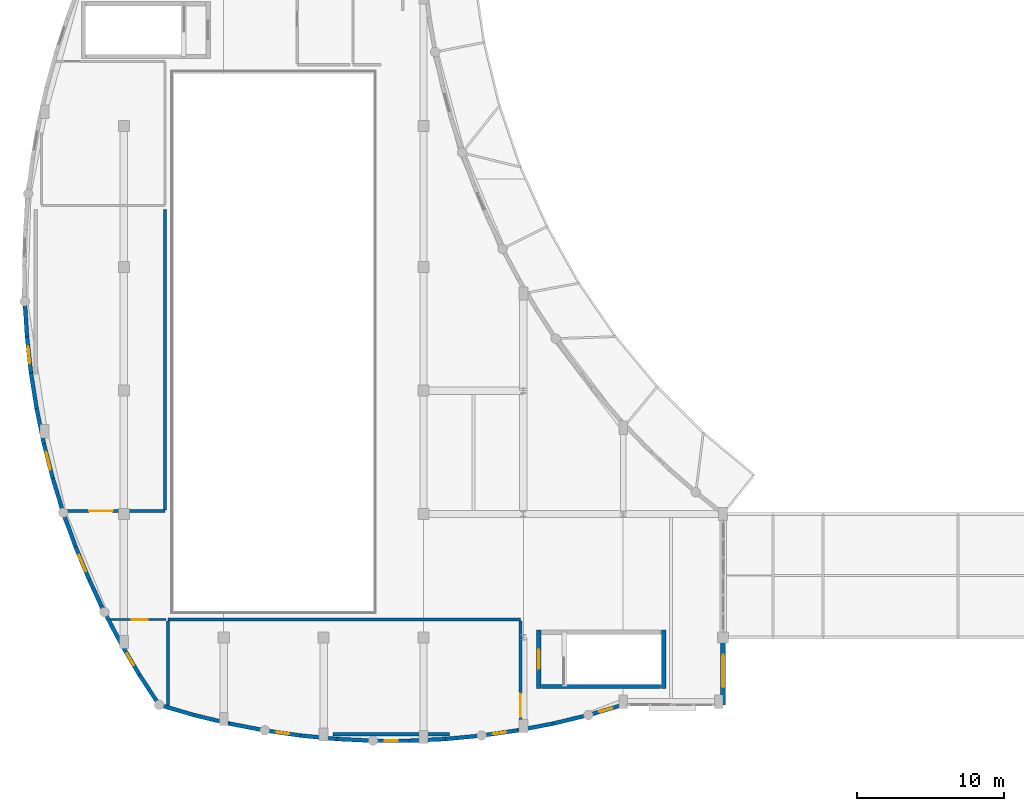
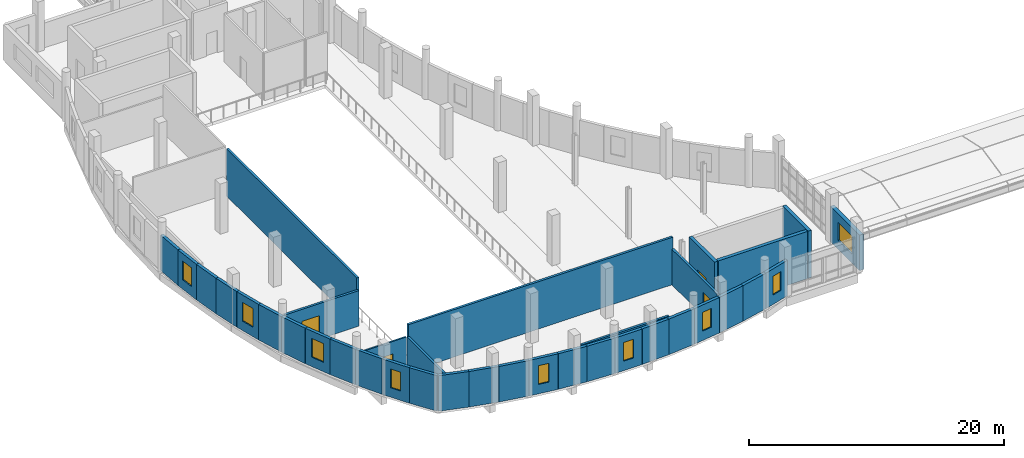
# One storey, part 81 of 106: 36 walls, 9 windows, 4 doors, 13 openings.
"""IFC4 building model written with IfcOpenShell, lengths in metres."""

from ifc_helpers import new_model, si_unit, direction, frame, frame_2d, origin, place, context, subcontext, project, spatial, rectangle, extrude, material, layer, layer_set, type_object, element, fill, save


model = new_model("IFC4")

# Units and contexts
model_context = context("Model", 3, precision=1e-05, world=origin(), true_north=direction((0.0, 1.0)))
body_context = subcontext(model_context, "Body", "Model", "MODEL_VIEW")
ifc_project = project(units=[si_unit("LENGTHUNIT", "METRE"), si_unit("AREAUNIT", "SQUARE_METRE"), si_unit("VOLUMEUNIT", "CUBIC_METRE"), si_unit("PLANEANGLEUNIT", "RADIAN"), si_unit("MASSUNIT", "GRAM", prefix="KILO")], contexts=[model_context])

# Site, building, storey
site_placement = place(None, origin())
site = spatial("IfcSite", under=ifc_project, at=site_placement, CompositionType="ELEMENT")
building_placement = place(site_placement, origin())
building = spatial("IfcBuilding", under=site, at=building_placement, Name="Kisaragi Civic Commons", CompositionType="ELEMENT")
storey_placement = place(building_placement, frame((0.0, 0.0, 4.800048828125)))
storey = spatial("IfcBuildingStorey", under=building, at=storey_placement, Name="L01", CompositionType="ELEMENT", Elevation=4.800048828125)

# Wall, opening, window
ifc_material_1 = material(Name="Insulated Tokoname terracotta cavity wall", Category="masonry")
ifc_layer_1 = layer(ifc_material_1, 0.35009765625, Name="Insulated Tokoname terracotta cavity wall", Category="masonry")
ifc_layer_set_1 = layer_set([ifc_layer_1], Name="Insulated Tokoname terracotta cavity wall")
wall_type_1 = type_object("IfcWallType", Name="EW-02", PredefinedType="STANDARD", material=ifc_layer_set_1)
wall_1_placement = place(storey_placement, frame((47.60009765625, 8.39990234375, 0.0), z_axis=(0.0, 0.0, 1.0), x_axis=(0.0, -1.0, 0.0)))
wall_1 = element("IfcWall", 1, at=wall_1_placement, inside=storey, type_object=wall_type_1, Name="V1 L01 exterior terracotta wall EW-02 87", PredefinedType="STANDARD", context=body_context, shape_type="SweptSolid", body=[
    extrude(rectangle(XDim=4.599853515625, YDim=0.35009765625, at=frame_2d((2.2998046875, 0.0))), origin(), (0.0, 0.0, 1.0), 3.405029296875),
])
opening_1_placement = place(wall_1_placement, frame((1.199951171875, 0.0, 0.85009765625)))
opening_1 = element("IfcOpeningElement", 2, at=opening_1_placement, cuts=wall_1, Name="Opening W-16", PredefinedType="OPENING", context=body_context, shape_type="SweptSolid", body=[
    extrude(rectangle(XDim=2.199951171875, YDim=1.75, at=frame_2d((1.10009765625, 0.875))), frame((0.0, 0.18505859375, 0.0), z_axis=(0.0, -1.0, 0.0), x_axis=(1.0, 0.0, 0.0)), (0.0, 0.0, 1.0), 0.3701171875),
])
ifc_material_2 = material(Name="Thermally broken aluminium frame and low-E argon double glazing", Category="aluminium")
window_type_1 = type_object("IfcWindowType", Name="W-16", PartitioningType="SINGLE_PANEL", PredefinedType="WINDOW", material=ifc_material_2)
window_1_placement = place(opening_1_placement, origin())
window_1 = element("IfcWindow", 3, at=window_1_placement, inside=storey, type_object=window_type_1, Name="V1 L01 window W-16 24", OverallHeight=1.75, OverallWidth=2.199951171875, PartitioningType="SINGLE_PANEL", PredefinedType="WINDOW", context=body_context, shape_type="SweptSolid", body=[
    extrude(rectangle(XDim=2.199951171875, YDim=1.75, at=frame_2d((1.10009765625, 0.875))), frame((0.0, 0.030029296875, 0.0), z_axis=(0.0, -1.0, 0.0), x_axis=(1.0, 0.0, 0.0)), (0.0, 0.0, 1.0), 0.06005859375),
])
fill(opening_1, window_1)

ifc_layer_2 = layer(ifc_material_1, 0.26806640625, Name="Insulated Tokoname terracotta cavity wall", Category="masonry")
ifc_layer_set_2 = layer_set([ifc_layer_2], Name="Insulated Tokoname terracotta cavity wall")
wall_type_2 = type_object("IfcWallType", Name="EW-04", PredefinedType="STANDARD", material=ifc_layer_set_2)
wall_2_placement = place(storey_placement, frame((40.800048828125, 3.800048828125, 0.0), z_axis=(0.0, 0.0, 1.0), x_axis=(-0.959667177702, -0.281138592232, 0.0)))
wall_2 = element("IfcWall", 4, at=wall_2_placement, inside=storey, type_object=wall_type_2, Name="V1 L01 exterior terracotta wall EW-04 88", PredefinedType="STANDARD", context=body_context, shape_type="SweptSolid", body=[
    extrude(rectangle(XDim=2.4697265625, YDim=0.26806640625, at=frame_2d((1.23486328125, 0.0))), origin(), (0.0, 0.0, 1.0), 3.405029296875),
])
opening_2_placement = place(wall_2_placement, frame((0.784912109375, 0.0, 0.89990234375)))
opening_2 = element("IfcOpeningElement", 5, at=opening_2_placement, cuts=wall_2, Name="Opening W-06", PredefinedType="OPENING", context=body_context, shape_type="SweptSolid", body=[
    extrude(rectangle(XDim=0.89990234375, YDim=1.800048828125, at=frame_2d((0.449951171875, 0.89990234375))), frame((0.0, 0.14404296875, 0.0), z_axis=(0.0, -1.0, 0.0), x_axis=(1.0, 0.0, 0.0)), (0.0, 0.0, 1.0), 0.2880859375),
])
window_type_2 = type_object("IfcWindowType", Name="W-06", PartitioningType="SINGLE_PANEL", PredefinedType="WINDOW", material=ifc_material_2)
window_2_placement = place(opening_2_placement, origin())
window_2 = element("IfcWindow", 6, at=window_2_placement, inside=storey, type_object=window_type_2, Name="V1 L01 window W-06 25", OverallHeight=1.800048828125, OverallWidth=0.89990234375, PartitioningType="SINGLE_PANEL", PredefinedType="WINDOW", context=body_context, shape_type="SweptSolid", body=[
    extrude(rectangle(XDim=0.89990234375, YDim=1.800048828125, at=frame_2d((0.449951171875, 0.89990234375))), frame((0.0, 0.030029296875, 0.0), z_axis=(0.0, -1.0, 0.0), x_axis=(1.0, 0.0, 0.0)), (0.0, 0.0, 1.0), 0.06005859375),
])
fill(opening_2, window_2)

# Walls
wall_3_placement = place(storey_placement, frame((38.429931640625, 3.105712890625, 0.0), z_axis=(0.0, 0.0, 1.0), x_axis=(-0.971924140736, -0.235294421214, 0.0)))
element("IfcWall", 7, at=wall_3_placement, inside=storey, type_object=wall_type_2, Name="V1 L01 exterior terracotta wall EW-04 89", PredefinedType="STANDARD", context=body_context, shape_type="SweptSolid", body=[
    extrude(rectangle(XDim=2.469482421875, YDim=0.26806640625, at=frame_2d((1.23486328125, 0.0))), origin(), (0.0, 0.0, 1.0), 3.405029296875),
])
wall_4_placement = place(storey_placement, frame((36.02978515625, 2.524658203125, 0.0), z_axis=(0.0, 0.0, 1.0), x_axis=(-0.982013497208, -0.188810728777, 0.0)))
element("IfcWall", 8, at=wall_4_placement, inside=storey, type_object=wall_type_2, Name="V1 L01 exterior terracotta wall EW-04 90", PredefinedType="STANDARD", context=body_context, shape_type="SweptSolid", body=[
    extrude(rectangle(XDim=2.4697265625, YDim=0.26806640625, at=frame_2d((1.23486328125, 0.0))), origin(), (0.0, 0.0, 1.0), 3.405029296875),
])

# Wall, opening, window
wall_5_placement = place(storey_placement, frame((33.6044921875, 2.058349609375, 0.0), z_axis=(0.0, 0.0, 1.0), x_axis=(-0.989872236715, -0.141961103757, 0.0)))
wall_5 = element("IfcWall", 9, at=wall_5_placement, inside=storey, type_object=wall_type_2, Name="V1 L01 exterior terracotta wall EW-04 91", PredefinedType="STANDARD", context=body_context, shape_type="SweptSolid", body=[
    extrude(rectangle(XDim=2.469482421875, YDim=0.26806640625, at=frame_2d((1.23486328125, 0.0))), origin(), (0.0, 0.0, 1.0), 3.405029296875),
])
opening_3_placement = place(wall_5_placement, frame((0.784912109375, 0.0, 0.89990234375)))
opening_3 = element("IfcOpeningElement", 10, at=opening_3_placement, cuts=wall_5, Name="Opening W-06", PredefinedType="OPENING", context=body_context, shape_type="SweptSolid", body=[
    extrude(rectangle(XDim=0.89990234375, YDim=1.800048828125, at=frame_2d((0.449951171875, 0.89990234375))), frame((0.0, 0.14404296875, 0.0), z_axis=(0.0, -1.0, 0.0), x_axis=(1.0, 0.0, 0.0)), (0.0, 0.0, 1.0), 0.2880859375),
])
window_3_placement = place(opening_3_placement, origin())
window_3 = element("IfcWindow", 11, at=window_3_placement, inside=storey, type_object=window_type_2, Name="V1 L01 window W-06 26", OverallHeight=1.800048828125, OverallWidth=0.89990234375, PartitioningType="SINGLE_PANEL", PredefinedType="WINDOW", context=body_context, shape_type="SweptSolid", body=[
    extrude(rectangle(XDim=0.89990234375, YDim=1.800048828125, at=frame_2d((0.449951171875, 0.89990234375))), frame((0.0, 0.030029296875, 0.0), z_axis=(0.0, -1.0, 0.0), x_axis=(1.0, 0.0, 0.0)), (0.0, 0.0, 1.0), 0.06005859375),
])
fill(opening_3, window_3)

# Walls
for number, where, z_axis, x_axis, name in (
    (12, (31.159912109375, 1.707763671875, 0.0), (0.0, 0.0, 1.0), (-0.995485691749, -0.094911735433, 0.0), "V1 L01 exterior terracotta wall EW-04 92"),
    (13, (28.70166015625, 1.473388671875, 0.0), (0.0, 0.0, 1.0), (-0.998873499285, -0.047452422769, 0.0), "V1 L01 exterior terracotta wall EW-04 93"),
):
    element("IfcWall", number, at=place(storey_placement, frame(where, z_axis=z_axis, x_axis=x_axis)), inside=storey, type_object=wall_type_2, Name=name, PredefinedType="STANDARD", context=body_context, shape_type="SweptSolid", body=[
        extrude(rectangle(XDim=2.469482421875, YDim=0.26806640625, at=frame_2d((1.23486328125, 0.0))), origin(), (0.0, 0.0, 1.0), 3.405029296875),
    ])

# Wall, opening, window
wall_6_placement = place(storey_placement, frame((26.23486328125, 1.356201171875, 0.0), z_axis=(0.0, 0.0, 1.0), x_axis=(-1.0, 0.0, 0.0)))
wall_6 = element("IfcWall", 14, at=wall_6_placement, inside=storey, type_object=wall_type_2, Name="V1 L01 exterior terracotta wall EW-04 94", PredefinedType="STANDARD", context=body_context, shape_type="SweptSolid", body=[
    extrude(rectangle(XDim=2.4697265625, YDim=0.26806640625, at=frame_2d((1.23486328125, 0.0))), origin(), (0.0, 0.0, 1.0), 3.405029296875),
])
opening_4_placement = place(wall_6_placement, frame((0.784912109375, 0.0, 0.89990234375)))
opening_4 = element("IfcOpeningElement", 15, at=opening_4_placement, cuts=wall_6, Name="Opening W-06", PredefinedType="OPENING", context=body_context, shape_type="SweptSolid", body=[
    extrude(rectangle(XDim=0.89990234375, YDim=1.800048828125, at=frame_2d((0.449951171875, 0.89990234375))), frame((0.0, 0.14404296875, 0.0), z_axis=(0.0, -1.0, 0.0), x_axis=(1.0, 0.0, 0.0)), (0.0, 0.0, 1.0), 0.2880859375),
])
window_4_placement = place(opening_4_placement, origin())
window_4 = element("IfcWindow", 16, at=window_4_placement, inside=storey, type_object=window_type_2, Name="V1 L01 window W-06 27", OverallHeight=1.800048828125, OverallWidth=0.89990234375, PartitioningType="SINGLE_PANEL", PredefinedType="WINDOW", context=body_context, shape_type="SweptSolid", body=[
    extrude(rectangle(XDim=0.89990234375, YDim=1.800048828125, at=frame_2d((0.449951171875, 0.89990234375))), frame((0.0, 0.030029296875, 0.0), z_axis=(0.0, -1.0, 0.0), x_axis=(1.0, 0.0, 0.0)), (0.0, 0.0, 1.0), 0.06005859375),
])
fill(opening_4, window_4)

# Walls
for number, where, z_axis, x_axis, name in (
    (17, (23.76513671875, 1.356201171875, 0.0), (0.0, 0.0, 1.0), (-0.998873499285, 0.047452422769, 0.0), "V1 L01 exterior terracotta wall EW-04 95"),
    (18, (21.29833984375, 1.473388671875, 0.0), (0.0, 0.0, 1.0), (-0.995485691749, 0.094911735433, 0.0), "V1 L01 exterior terracotta wall EW-04 96"),
):
    element("IfcWall", number, at=place(storey_placement, frame(where, z_axis=z_axis, x_axis=x_axis)), inside=storey, type_object=wall_type_2, Name=name, PredefinedType="STANDARD", context=body_context, shape_type="SweptSolid", body=[
        extrude(rectangle(XDim=2.469482421875, YDim=0.26806640625, at=frame_2d((1.23486328125, 0.0))), origin(), (0.0, 0.0, 1.0), 3.405029296875),
    ])

# Wall, opening, window
wall_7_placement = place(storey_placement, frame((18.840087890625, 1.707763671875, 0.0), z_axis=(0.0, 0.0, 1.0), x_axis=(-0.989872236715, 0.141961103757, 0.0)))
wall_7 = element("IfcWall", 19, at=wall_7_placement, inside=storey, type_object=wall_type_2, Name="V1 L01 exterior terracotta wall EW-04 97", PredefinedType="STANDARD", context=body_context, shape_type="SweptSolid", body=[
    extrude(rectangle(XDim=2.469482421875, YDim=0.26806640625, at=frame_2d((1.23486328125, 0.0))), origin(), (0.0, 0.0, 1.0), 3.405029296875),
])
opening_5_placement = place(wall_7_placement, frame((0.784912109375, 0.0, 0.89990234375)))
opening_5 = element("IfcOpeningElement", 20, at=opening_5_placement, cuts=wall_7, Name="Opening W-06", PredefinedType="OPENING", context=body_context, shape_type="SweptSolid", body=[
    extrude(rectangle(XDim=0.89990234375, YDim=1.800048828125, at=frame_2d((0.449951171875, 0.89990234375))), frame((0.0, 0.14404296875, 0.0), z_axis=(0.0, -1.0, 0.0), x_axis=(1.0, 0.0, 0.0)), (0.0, 0.0, 1.0), 0.2880859375),
])
window_5_placement = place(opening_5_placement, origin())
window_5 = element("IfcWindow", 21, at=window_5_placement, inside=storey, type_object=window_type_2, Name="V1 L01 window W-06 28", OverallHeight=1.800048828125, OverallWidth=0.89990234375, PartitioningType="SINGLE_PANEL", PredefinedType="WINDOW", context=body_context, shape_type="SweptSolid", body=[
    extrude(rectangle(XDim=0.89990234375, YDim=1.800048828125, at=frame_2d((0.449951171875, 0.89990234375))), frame((0.0, 0.030029296875, 0.0), z_axis=(0.0, -1.0, 0.0), x_axis=(1.0, 0.0, 0.0)), (0.0, 0.0, 1.0), 0.06005859375),
])
fill(opening_5, window_5)

# Walls
wall_8_placement = place(storey_placement, frame((16.3955078125, 2.058349609375, 0.0), z_axis=(0.0, 0.0, 1.0), x_axis=(-0.982013497208, 0.188810728777, 0.0)))
element("IfcWall", 22, at=wall_8_placement, inside=storey, type_object=wall_type_2, Name="V1 L01 exterior terracotta wall EW-04 98", PredefinedType="STANDARD", context=body_context, shape_type="SweptSolid", body=[
    extrude(rectangle(XDim=2.4697265625, YDim=0.26806640625, at=frame_2d((1.23486328125, 0.0))), origin(), (0.0, 0.0, 1.0), 3.405029296875),
])
wall_9_placement = place(storey_placement, frame((13.97021484375, 2.524658203125, 0.0), z_axis=(0.0, 0.0, 1.0), x_axis=(-0.971924140736, 0.235294421214, 0.0)))
element("IfcWall", 23, at=wall_9_placement, inside=storey, type_object=wall_type_2, Name="V1 L01 exterior terracotta wall EW-04 99", PredefinedType="STANDARD", context=body_context, shape_type="SweptSolid", body=[
    extrude(rectangle(XDim=2.469482421875, YDim=0.26806640625, at=frame_2d((1.23486328125, 0.0))), origin(), (0.0, 0.0, 1.0), 3.405029296875),
])
wall_10_placement = place(storey_placement, frame((11.570068359375, 3.105712890625, 0.0), z_axis=(0.0, 0.0, 1.0), x_axis=(-0.959667177702, 0.281138592232, 0.0)))
element("IfcWall", 24, at=wall_10_placement, inside=storey, type_object=wall_type_2, Name="V1 L01 exterior terracotta wall EW-04 100", PredefinedType="STANDARD", context=body_context, shape_type="SweptSolid", body=[
    extrude(rectangle(XDim=2.4697265625, YDim=0.26806640625, at=frame_2d((1.23486328125, 0.0))), origin(), (0.0, 0.0, 1.0), 3.405029296875),
])
wall_11_placement = place(storey_placement, frame((9.199951171875, 3.800048828125, 0.0), z_axis=(0.0, 0.0, 1.0), x_axis=(-0.548093698086, 0.836416940358, 0.0)))
element("IfcWall", 25, at=wall_11_placement, inside=storey, type_object=wall_type_2, Name="V1 L01 exterior terracotta wall EW-04 101", PredefinedType="STANDARD", context=body_context, shape_type="SweptSolid", body=[
    extrude(rectangle(XDim=2.445556640625, YDim=0.26806640625, at=frame_2d((1.22265625, 0.0))), origin(), (0.0, 0.0, 1.0), 3.405029296875),
])

# Wall, opening, window
wall_12_placement = place(storey_placement, frame((7.859619140625, 5.845458984375, 0.0), z_axis=(0.0, 0.0, 1.0), x_axis=(-0.508154045832, 0.861266199095, 0.0)))
wall_12 = element("IfcWall", 26, at=wall_12_placement, inside=storey, type_object=wall_type_2, Name="V1 L01 exterior terracotta wall EW-04 102", PredefinedType="STANDARD", context=body_context, shape_type="SweptSolid", body=[
    extrude(rectangle(XDim=2.445556640625, YDim=0.26806640625, at=frame_2d((1.22265625, 0.0))), origin(), (0.0, 0.0, 1.0), 3.405029296875),
])
opening_6_placement = place(wall_12_placement, frame((0.772705078125, 0.0, 0.89990234375)))
opening_6 = element("IfcOpeningElement", 27, at=opening_6_placement, cuts=wall_12, Name="Opening W-06", PredefinedType="OPENING", context=body_context, shape_type="SweptSolid", body=[
    extrude(rectangle(XDim=0.89990234375, YDim=1.800048828125, at=frame_2d((0.449951171875, 0.89990234375))), frame((0.0, 0.14404296875, 0.0), z_axis=(0.0, -1.0, 0.0), x_axis=(1.0, 0.0, 0.0)), (0.0, 0.0, 1.0), 0.2880859375),
])
window_6_placement = place(opening_6_placement, origin())
window_6 = element("IfcWindow", 28, at=window_6_placement, inside=storey, type_object=window_type_2, Name="V1 L01 window W-06 29", OverallHeight=1.800048828125, OverallWidth=0.89990234375, PartitioningType="SINGLE_PANEL", PredefinedType="WINDOW", context=body_context, shape_type="SweptSolid", body=[
    extrude(rectangle(XDim=0.89990234375, YDim=1.800048828125, at=frame_2d((0.449951171875, 0.89990234375))), frame((0.0, 0.030029296875, 0.0), z_axis=(0.0, -1.0, 0.0), x_axis=(1.0, 0.0, 0.0)), (0.0, 0.0, 1.0), 0.06005859375),
])
fill(opening_6, window_6)

# Walls
wall_13_placement = place(storey_placement, frame((6.616943359375, 7.95166015625, 0.0), z_axis=(0.0, 0.0, 1.0), x_axis=(-0.467149014597, 0.884178600827, 0.0)))
element("IfcWall", 29, at=wall_13_placement, inside=storey, type_object=wall_type_2, Name="V1 L01 exterior terracotta wall EW-04 103", PredefinedType="STANDARD", context=body_context, shape_type="SweptSolid", body=[
    extrude(rectangle(XDim=2.4453125, YDim=0.26806640625, at=frame_2d((1.22265625, 0.0))), origin(), (0.0, 0.0, 1.0), 3.405029296875),
])
wall_14_placement = place(storey_placement, frame((5.474609375, 10.11376953125, 0.0), z_axis=(0.0, 0.0, 1.0), x_axis=(-0.424993953285, 0.905196188498, 0.0)))
element("IfcWall", 30, at=wall_14_placement, inside=storey, type_object=wall_type_2, Name="V1 L01 exterior terracotta wall EW-04 104", PredefinedType="STANDARD", context=body_context, shape_type="SweptSolid", body=[
    extrude(rectangle(XDim=2.445556640625, YDim=0.26806640625, at=frame_2d((1.22265625, 0.0))), origin(), (0.0, 0.0, 1.0), 3.405029296875),
])

# Wall, opening, window
wall_15_placement = place(storey_placement, frame((4.435302734375, 12.327392578125, 0.0), z_axis=(0.0, 0.0, 1.0), x_axis=(-0.3819696495, 0.924174868118, 0.0)))
wall_15 = element("IfcWall", 31, at=wall_15_placement, inside=storey, type_object=wall_type_2, Name="V1 L01 exterior terracotta wall EW-04 105", PredefinedType="STANDARD", context=body_context, shape_type="SweptSolid", body=[
    extrude(rectangle(XDim=2.445556640625, YDim=0.26806640625, at=frame_2d((1.22265625, 0.0))), origin(), (0.0, 0.0, 1.0), 3.405029296875),
])
opening_7_placement = place(wall_15_placement, frame((0.622802734375, 0.0, 0.89990234375)))
opening_7 = element("IfcOpeningElement", 32, at=opening_7_placement, cuts=wall_15, Name="Opening W-05", PredefinedType="OPENING", context=body_context, shape_type="SweptSolid", body=[
    extrude(rectangle(XDim=1.199951171875, YDim=1.800048828125, at=frame_2d((0.60009765625, 0.89990234375))), frame((0.0, 0.14404296875, 0.0), z_axis=(0.0, -1.0, 0.0), x_axis=(1.0, 0.0, 0.0)), (0.0, 0.0, 1.0), 0.2880859375),
])
window_type_3 = type_object("IfcWindowType", Name="W-05", PartitioningType="SINGLE_PANEL", PredefinedType="WINDOW", material=ifc_material_2)
window_7_placement = place(opening_7_placement, origin())
window_7 = element("IfcWindow", 33, at=window_7_placement, inside=storey, type_object=window_type_3, Name="V1 L01 window W-05 30", OverallHeight=1.800048828125, OverallWidth=1.199951171875, PartitioningType="SINGLE_PANEL", PredefinedType="WINDOW", context=body_context, shape_type="SweptSolid", body=[
    extrude(rectangle(XDim=1.199951171875, YDim=1.800048828125, at=frame_2d((0.60009765625, 0.89990234375))), frame((0.0, 0.030029296875, 0.0), z_axis=(0.0, -1.0, 0.0), x_axis=(1.0, 0.0, 0.0)), (0.0, 0.0, 1.0), 0.06005859375),
])
fill(opening_7, window_7)

# Walls
wall_16_placement = place(storey_placement, frame((3.501220703125, 14.58740234375, 0.0), z_axis=(0.0, 0.0, 1.0), x_axis=(-0.338125508997, 0.941101025483, 0.0)))
element("IfcWall", 34, at=wall_16_placement, inside=storey, type_object=wall_type_2, Name="V1 L01 exterior terracotta wall EW-04 106", PredefinedType="STANDARD", context=body_context, shape_type="SweptSolid", body=[
    extrude(rectangle(XDim=2.445556640625, YDim=0.26806640625, at=frame_2d((1.22265625, 0.0))), origin(), (0.0, 0.0, 1.0), 3.405029296875),
])
wall_17_placement = place(storey_placement, frame((2.67431640625, 16.888916015625, 0.0), z_axis=(0.0, 0.0, 1.0), x_axis=(-0.293524545096, 0.955951537174, 0.0)))
element("IfcWall", 35, at=wall_17_placement, inside=storey, type_object=wall_type_2, Name="V1 L01 exterior terracotta wall EW-04 107", PredefinedType="STANDARD", context=body_context, shape_type="SweptSolid", body=[
    extrude(rectangle(XDim=2.4453125, YDim=0.26806640625, at=frame_2d((1.22265625, 0.0))), origin(), (0.0, 0.0, 1.0), 3.405029296875),
])

# Wall, opening, window
wall_18_placement = place(storey_placement, frame((1.95654296875, 19.2265625, 0.0), z_axis=(0.0, 0.0, 1.0), x_axis=(-0.248192795271, 0.968710656685, 0.0)))
wall_18 = element("IfcWall", 36, at=wall_18_placement, inside=storey, type_object=wall_type_2, Name="V1 L01 exterior terracotta wall EW-04 108", PredefinedType="STANDARD", context=body_context, shape_type="SweptSolid", body=[
    extrude(rectangle(XDim=2.4453125, YDim=0.26806640625, at=frame_2d((1.22265625, 0.0))), origin(), (0.0, 0.0, 1.0), 3.405029296875),
])
opening_8_placement = place(wall_18_placement, frame((0.622802734375, 0.0, 0.89990234375)))
opening_8 = element("IfcOpeningElement", 37, at=opening_8_placement, cuts=wall_18, Name="Opening W-05", PredefinedType="OPENING", context=body_context, shape_type="SweptSolid", body=[
    extrude(rectangle(XDim=1.199951171875, YDim=1.800048828125, at=frame_2d((0.60009765625, 0.89990234375))), frame((0.0, 0.14404296875, 0.0), z_axis=(0.0, -1.0, 0.0), x_axis=(1.0, 0.0, 0.0)), (0.0, 0.0, 1.0), 0.2880859375),
])
window_8_placement = place(opening_8_placement, origin())
window_8 = element("IfcWindow", 38, at=window_8_placement, inside=storey, type_object=window_type_3, Name="V1 L01 window W-05 31", OverallHeight=1.800048828125, OverallWidth=1.199951171875, PartitioningType="SINGLE_PANEL", PredefinedType="WINDOW", context=body_context, shape_type="SweptSolid", body=[
    extrude(rectangle(XDim=1.199951171875, YDim=1.800048828125, at=frame_2d((0.60009765625, 0.89990234375))), frame((0.0, 0.030029296875, 0.0), z_axis=(0.0, -1.0, 0.0), x_axis=(1.0, 0.0, 0.0)), (0.0, 0.0, 1.0), 0.06005859375),
])
fill(opening_8, window_8)

# Walls
wall_19_placement = place(storey_placement, frame((1.349609375, 21.595458984375, 0.0), z_axis=(0.0, 0.0, 1.0), x_axis=(-0.202466947534, 0.979289096823, 0.0)))
element("IfcWall", 39, at=wall_19_placement, inside=storey, type_object=wall_type_2, Name="V1 L01 exterior terracotta wall EW-04 109", PredefinedType="STANDARD", context=body_context, shape_type="SweptSolid", body=[
    extrude(rectangle(XDim=2.4453125, YDim=0.26806640625, at=frame_2d((1.22265625, 0.0))), origin(), (0.0, 0.0, 1.0), 3.405029296875),
])
wall_20_placement = place(storey_placement, frame((0.8544921875, 23.990234375, 0.0), z_axis=(0.0, 0.0, 1.0), x_axis=(-0.156136871901, 0.987735428763, 0.0)))
element("IfcWall", 40, at=wall_20_placement, inside=storey, type_object=wall_type_2, Name="V1 L01 exterior terracotta wall EW-04 110", PredefinedType="STANDARD", context=body_context, shape_type="SweptSolid", body=[
    extrude(rectangle(XDim=2.445556640625, YDim=0.26806640625, at=frame_2d((1.22265625, 0.0))), origin(), (0.0, 0.0, 1.0), 3.405029296875),
])

# Wall, opening, window
wall_21_placement = place(storey_placement, frame((0.47265625, 26.40576171875, 0.0), z_axis=(0.0, 0.0, 1.0), x_axis=(-0.109521982528, 0.993984373792, 0.0)))
wall_21 = element("IfcWall", 41, at=wall_21_placement, inside=storey, type_object=wall_type_2, Name="V1 L01 exterior terracotta wall EW-04 111", PredefinedType="STANDARD", context=body_context, shape_type="SweptSolid", body=[
    extrude(rectangle(XDim=2.4453125, YDim=0.26806640625, at=frame_2d((1.22265625, 0.0))), origin(), (0.0, 0.0, 1.0), 3.405029296875),
])
opening_9_placement = place(wall_21_placement, frame((0.622802734375, 0.0, 0.89990234375)))
opening_9 = element("IfcOpeningElement", 42, at=opening_9_placement, cuts=wall_21, Name="Opening W-05", PredefinedType="OPENING", context=body_context, shape_type="SweptSolid", body=[
    extrude(rectangle(XDim=1.199951171875, YDim=1.800048828125, at=frame_2d((0.60009765625, 0.89990234375))), frame((0.0, 0.14404296875, 0.0), z_axis=(0.0, -1.0, 0.0), x_axis=(1.0, 0.0, 0.0)), (0.0, 0.0, 1.0), 0.2880859375),
])
window_9_placement = place(opening_9_placement, origin())
window_9 = element("IfcWindow", 43, at=window_9_placement, inside=storey, type_object=window_type_3, Name="V1 L01 window W-05 32", OverallHeight=1.800048828125, OverallWidth=1.199951171875, PartitioningType="SINGLE_PANEL", PredefinedType="WINDOW", context=body_context, shape_type="SweptSolid", body=[
    extrude(rectangle(XDim=1.199951171875, YDim=1.800048828125, at=frame_2d((0.60009765625, 0.89990234375))), frame((0.0, 0.030029296875, 0.0), z_axis=(0.0, -1.0, 0.0), x_axis=(1.0, 0.0, 0.0)), (0.0, 0.0, 1.0), 0.06005859375),
])
fill(opening_9, window_9)

# Wall
wall_22_placement = place(storey_placement, frame((0.204833984375, 28.83642578125, 0.0), z_axis=(0.0, 0.0, 1.0), x_axis=(-0.062695263199, 0.998032716885, 0.0)))
element("IfcWall", 44, at=wall_22_placement, inside=storey, type_object=wall_type_2, Name="V1 L01 exterior terracotta wall EW-04 112", PredefinedType="STANDARD", context=body_context, shape_type="SweptSolid", body=[
    extrude(rectangle(XDim=2.445556640625, YDim=0.26806640625, at=frame_2d((1.22265625, 0.0))), origin(), (0.0, 0.0, 1.0), 3.405029296875),
])

# Wall, opening, door
ifc_material_3 = material(Name="Acoustic gypsum board on light-gauge steel studs", Category="steel")
ifc_layer_3 = layer(ifc_material_3, 0.137939453125, Name="Acoustic gypsum board on light-gauge steel studs", Category="steel")
ifc_layer_set_3 = layer_set([ifc_layer_3], Name="Acoustic gypsum board on light-gauge steel studs")
wall_type_3 = type_object("IfcWallType", Name="IW-02", PredefinedType="STANDARD", material=ifc_layer_set_3)
wall_23_placement = place(storey_placement, frame((5.88818359375, 9.60009765625, 0.0), z_axis=(0.0, 0.0, 1.0), x_axis=(1.0, 0.0, 0.0)))
wall_23 = element("IfcWall", 45, at=wall_23_placement, inside=storey, type_object=wall_type_3, Name="L01 M1-03 partition IW-02 217", PredefinedType="STANDARD", context=body_context, shape_type="SweptSolid", body=[
    extrude(rectangle(XDim=3.766845703125, YDim=0.137939453125, at=frame_2d((1.88330078125, 0.0))), origin(), (0.0, 0.0, 1.0), 3.405029296875),
])
opening_10_placement = place(wall_23_placement, frame((1.440185546875, 0.0, 0.0)))
opening_10 = element("IfcOpeningElement", 46, at=opening_10_placement, cuts=wall_23, Name="Opening ID-08", PredefinedType="OPENING", context=body_context, shape_type="SweptSolid", body=[
    extrude(rectangle(XDim=1.10009765625, YDim=2.199951171875, at=frame_2d((0.550048828125, 1.10009765625))), frame((0.0, 0.078857421875, 0.0), z_axis=(0.0, -1.0, 0.0), x_axis=(1.0, 0.0, 0.0)), (0.0, 0.0, 1.0), 0.157958984375),
])
ifc_material_4 = material(Name="Solid-core Japanese ash acoustic flush timber leaf in steel frame", Category="steel")
door_type_1 = type_object("IfcDoorType", Name="ID-08", OperationType="NOTDEFINED", PredefinedType="DOOR", material=ifc_material_4)
door_1_placement = place(opening_10_placement, origin())
door_1 = element("IfcDoor", 47, at=door_1_placement, inside=storey, type_object=door_type_1, Name="Projection and Acoustic Control Room door ID-08", OperationType="SINGLE_SWING_LEFT", OverallHeight=2.199951171875, OverallWidth=1.10009765625, PredefinedType="DOOR", context=body_context, shape_type="SweptSolid", body=[
    extrude(rectangle(XDim=1.10009765625, YDim=2.199951171875, at=frame_2d((0.550048828125, 1.10009765625))), frame((0.0, 0.02490234375, 0.0), z_axis=(0.0, -1.0, 0.0), x_axis=(1.0, 0.0, 0.0)), (0.0, 0.0, 1.0), 0.050048828125),
])
fill(opening_10, door_1)

ifc_material_5 = material(Name="Slatted Mikawa hinoki acoustic timber partition", Category="wood")
ifc_layer_4 = layer(ifc_material_5, 0.2080078125, Name="Slatted Mikawa hinoki acoustic timber partition", Category="wood")
ifc_layer_set_4 = layer_set([ifc_layer_4], Name="Slatted Mikawa hinoki acoustic timber partition")
wall_type_4 = type_object("IfcWallType", Name="IW-05", PredefinedType="STANDARD", material=ifc_layer_set_4)
wall_24_placement = place(storey_placement, frame((33.800048828125, 9.52490234375, 0.0), z_axis=(0.0, 0.0, 1.0), x_axis=(0.0, -1.0, 0.0)))
wall_24 = element("IfcWall", 48, at=wall_24_placement, inside=storey, type_object=wall_type_4, Name="L01 M1-09 partition IW-05 182", PredefinedType="STANDARD", context=body_context, shape_type="SweptSolid", body=[
    extrude(rectangle(XDim=7.109619140625, YDim=0.2080078125, at=frame_2d((3.5546875, 0.0))), origin(), (0.0, 0.0, 1.0), 3.405029296875),
])
opening_11_placement = place(wall_24_placement, frame((4.95849609375, 0.0, 0.0)))
opening_11 = element("IfcOpeningElement", 49, at=opening_11_placement, cuts=wall_24, Name="Opening ID-05", PredefinedType="OPENING", context=body_context, shape_type="SweptSolid", body=[
    extrude(rectangle(XDim=1.60009765625, YDim=2.25, at=frame_2d((0.800048828125, 1.125))), frame((0.0, 0.114013671875, 0.0), z_axis=(0.0, -1.0, 0.0), x_axis=(1.0, 0.0, 0.0)), (0.0, 0.0, 1.0), 0.22802734375),
])
door_type_2 = type_object("IfcDoorType", Name="ID-05", OperationType="NOTDEFINED", PredefinedType="DOOR", material=ifc_material_4)
door_2_placement = place(opening_11_placement, origin())
door_2 = element("IfcDoor", 50, at=door_2_placement, inside=storey, type_object=door_type_2, Name="Acoustic Ensemble Practice Room door ID-05", OperationType="DOUBLE_DOOR_SINGLE_SWING", OverallHeight=2.25, OverallWidth=1.60009765625, PredefinedType="DOOR", context=body_context, shape_type="SweptSolid", body=[
    extrude(rectangle(XDim=1.60009765625, YDim=2.25, at=frame_2d((0.800048828125, 1.125))), frame((0.0, 0.02490234375, 0.0), z_axis=(0.0, -1.0, 0.0), x_axis=(1.0, 0.0, 0.0)), (0.0, 0.0, 1.0), 0.050048828125),
])
fill(opening_11, door_2)

# Walls
wall_25_placement = place(storey_placement, frame((28.96142578125, 1.800048828125, 0.0), z_axis=(0.0, 0.0, 1.0), x_axis=(-1.0, 0.0, 0.0)))
element("IfcWall", 51, at=wall_25_placement, inside=storey, type_object=wall_type_4, Name="L01 M1-09 partition IW-05 183", PredefinedType="STANDARD", context=body_context, shape_type="SweptSolid", body=[
    extrude(rectangle(XDim=7.9228515625, YDim=0.2080078125, at=frame_2d((3.96142578125, 0.0))), origin(), (0.0, 0.0, 1.0), 3.405029296875),
])
wall_26_placement = place(storey_placement, frame((9.800048828125, 3.76611328125, 0.0), z_axis=(0.0, 0.0, 1.0), x_axis=(0.0, 1.0, 0.0)))
element("IfcWall", 52, at=wall_26_placement, inside=storey, type_object=wall_type_4, Name="L01 M1-09 partition IW-05 184", PredefinedType="STANDARD", context=body_context, shape_type="SweptSolid", body=[
    extrude(rectangle(XDim=5.7587890625, YDim=0.2080078125, at=frame_2d((2.87939453125, 0.0))), origin(), (0.0, 0.0, 1.0), 3.405029296875),
])
wall_27_placement = place(storey_placement, frame((9.804931640625, 9.60009765625, 0.0), z_axis=(0.0, 0.0, 1.0), x_axis=(1.0, 0.0, 0.0)))
element("IfcWall", 53, at=wall_27_placement, inside=storey, type_object=wall_type_4, Name="L01 M1-09 partition IW-05 185", PredefinedType="STANDARD", context=body_context, shape_type="SweptSolid", body=[
    extrude(rectangle(XDim=23.989990234375, YDim=0.2080078125, at=frame_2d((11.9951171875, 0.0))), origin(), (0.0, 0.0, 1.0), 4.5400390625),
])

# Wall, opening, door
wall_28_placement = place(storey_placement, frame((9.594970703125, 17.0, 0.0), z_axis=(0.0, 0.0, 1.0), x_axis=(-1.0, 0.0, 0.0)))
wall_28 = element("IfcWall", 54, at=wall_28_placement, inside=storey, type_object=wall_type_4, Name="L01 M1-02 partition IW-05 214", PredefinedType="STANDARD", context=body_context, shape_type="SweptSolid", body=[
    extrude(rectangle(XDim=6.69873046875, YDim=0.2080078125, at=frame_2d((3.349365234375, 0.0))), origin(), (0.0, 0.0, 1.0), 3.405029296875),
])
opening_12_placement = place(wall_28_placement, frame((3.569091796875, 0.0, 0.0)))
opening_12 = element("IfcOpeningElement", 55, at=opening_12_placement, cuts=wall_28, Name="Opening ID-05", PredefinedType="OPENING", context=body_context, shape_type="SweptSolid", body=[
    extrude(rectangle(XDim=1.60009765625, YDim=2.25, at=frame_2d((0.800048828125, 1.125))), frame((0.0, 0.114013671875, 0.0), z_axis=(0.0, -1.0, 0.0), x_axis=(1.0, 0.0, 0.0)), (0.0, 0.0, 1.0), 0.22802734375),
])
door_3_placement = place(opening_12_placement, origin())
door_3 = element("IfcDoor", 56, at=door_3_placement, inside=storey, type_object=door_type_2, Name="Choir Rehearsal Studio door ID-05", OperationType="DOUBLE_DOOR_SINGLE_SWING", OverallHeight=2.25, OverallWidth=1.60009765625, PredefinedType="DOOR", context=body_context, shape_type="SweptSolid", body=[
    extrude(rectangle(XDim=1.60009765625, YDim=2.25, at=frame_2d((0.800048828125, 1.125))), frame((0.0, 0.02490234375, 0.0), z_axis=(0.0, -1.0, 0.0), x_axis=(1.0, 0.0, 0.0)), (0.0, 0.0, 1.0), 0.050048828125),
])
fill(opening_12, door_3)

# Wall
wall_29_placement = place(storey_placement, frame((9.60009765625, 37.52490234375, 0.0), z_axis=(0.0, 0.0, 1.0), x_axis=(0.0, -1.0, 0.0)))
element("IfcWall", 57, at=wall_29_placement, inside=storey, type_object=wall_type_4, Name="L01 M1-02 partition IW-05 216", PredefinedType="STANDARD", context=body_context, shape_type="SweptSolid", body=[
    extrude(rectangle(XDim=20.449951171875, YDim=0.2080078125, at=frame_2d((10.22509765625, 0.0))), origin(), (0.0, 0.0, 1.0), 4.5400390625),
])

# Wall, opening, door
ifc_material_6 = material(Name="Concrete Fc36", Category="concrete")
ifc_layer_5 = layer(ifc_material_6, 0.300048828125, Name="Concrete Fc36", Category="concrete")
ifc_layer_set_5 = layer_set([ifc_layer_5], Name="Concrete Fc36")
wall_type_5 = type_object("IfcWallType", Name="SW-01", PredefinedType="SHEAR", material=ifc_layer_set_5)
wall_30_placement = place(storey_placement, frame((35.050048828125, 8.89990234375, 0.0), z_axis=(0.0, 0.0, 1.0), x_axis=(0.0, -1.0, 0.0)))
wall_30 = element("IfcWall", 58, at=wall_30_placement, inside=storey, type_object=wall_type_5, Name="ST-M2 L01 entry RC shear wall", PredefinedType="SHEAR", context=body_context, shape_type="SweptSolid", body=[
    extrude(rectangle(XDim=4.0, YDim=0.300048828125, at=frame_2d((2.0, 0.0))), origin(), (0.0, 0.0, 1.0), 4.5400390625),
])
opening_13_placement = place(wall_30_placement, frame((1.35009765625, 0.0, 0.0)))
opening_13 = element("IfcOpeningElement", 59, at=opening_13_placement, cuts=wall_30, Name="Opening SD-02", PredefinedType="OPENING", context=body_context, shape_type="SweptSolid", body=[
    extrude(rectangle(XDim=1.300048828125, YDim=2.199951171875, at=frame_2d((0.64990234375, 1.10009765625))), frame((0.0, 0.159912109375, 0.0), z_axis=(0.0, -1.0, 0.0), x_axis=(1.0, 0.0, 0.0)), (0.0, 0.0, 1.0), 0.320068359375),
])
ifc_material_7 = material(Name="Insulated fire-rated pressed steel door assembly", Category="steel")
door_type_3 = type_object("IfcDoorType", Name="SD-02", OperationType="NOTDEFINED", PredefinedType="DOOR", material=ifc_material_7)
door_4_placement = place(opening_13_placement, origin())
door_4 = element("IfcDoor", 60, at=door_4_placement, inside=storey, type_object=door_type_3, Name="ST-M2 L01 stair fire door 26", OperationType="SINGLE_SWING_RIGHT", OverallHeight=2.199951171875, OverallWidth=1.300048828125, PredefinedType="DOOR", context=body_context, shape_type="SweptSolid", body=[
    extrude(rectangle(XDim=1.300048828125, YDim=2.199951171875, at=frame_2d((0.64990234375, 1.10009765625))), frame((0.0, 0.02490234375, 0.0), z_axis=(0.0, -1.0, 0.0), x_axis=(1.0, 0.0, 0.0)), (0.0, 0.0, 1.0), 0.050048828125),
])
fill(opening_13, door_4)

# Walls
wall_31_placement = place(storey_placement, frame((35.25, 5.050048828125, 0.0), z_axis=(0.0, 0.0, 1.0), x_axis=(1.0, 0.0, 0.0)))
element("IfcWall", 61, at=wall_31_placement, inside=storey, type_object=wall_type_5, Name="ST-M2 L01 right RC shear wall", PredefinedType="SHEAR", context=body_context, shape_type="SweptSolid", body=[
    extrude(rectangle(XDim=8.10009765625, YDim=0.300048828125, at=frame_2d((4.050048828125, 0.0))), origin(), (0.0, 0.0, 1.0), 4.5400390625),
])
wall_32_placement = place(storey_placement, frame((43.550048828125, 4.89990234375, 0.0), z_axis=(0.0, 0.0, 1.0), x_axis=(0.0, 1.0, 0.0)))
element("IfcWall", 62, at=wall_32_placement, inside=storey, type_object=wall_type_5, Name="ST-M2 L01 far RC shear wall", PredefinedType="SHEAR", context=body_context, shape_type="SweptSolid", body=[
    extrude(rectangle(XDim=4.0, YDim=0.300048828125, at=frame_2d((2.0, 0.0))), origin(), (0.0, 0.0, 1.0), 4.5400390625),
])

save(model, "model.ifc")
